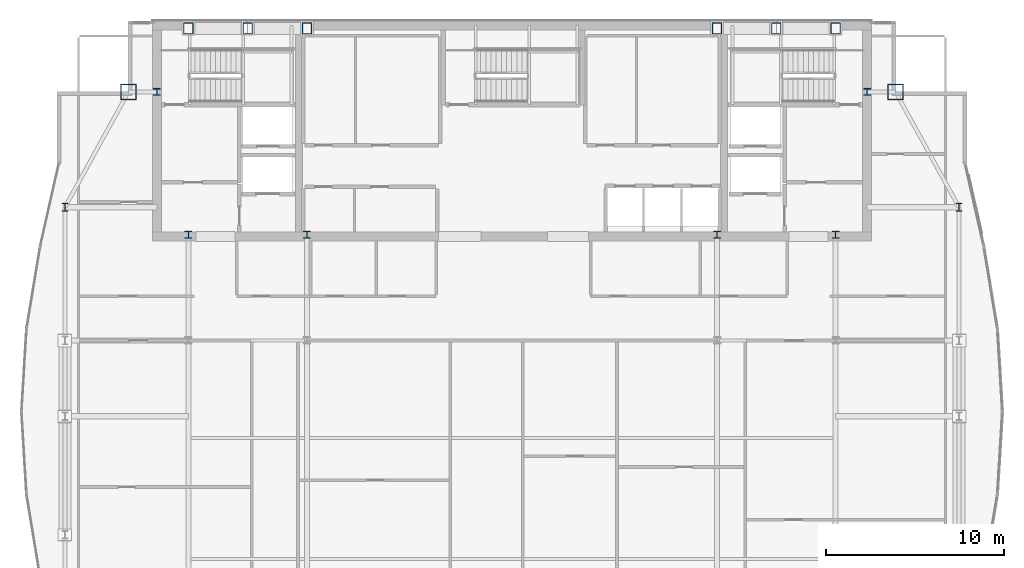
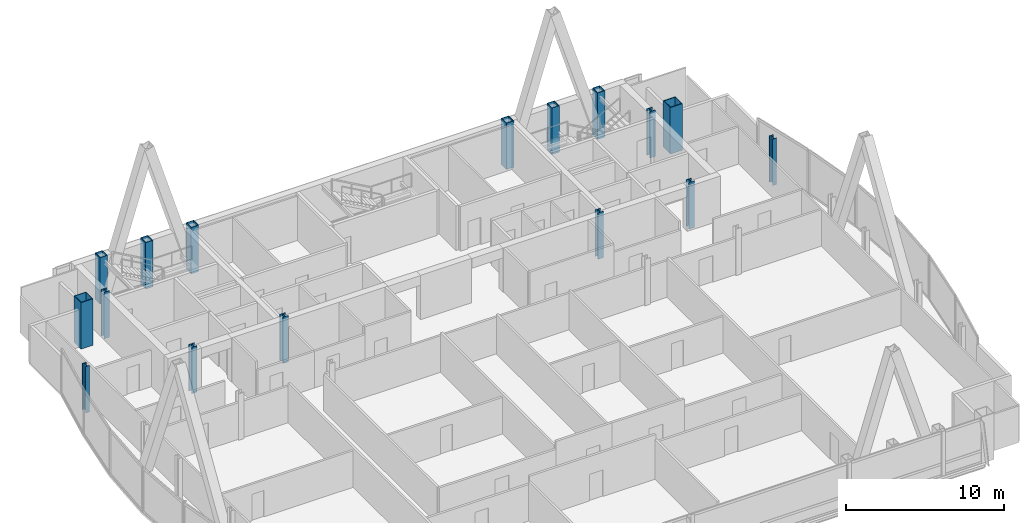
# One storey, part 3 of 31: 16 columns.
"""IFC4 building model written with IfcOpenShell, lengths in metres."""

import ifcopenshell
import ifcopenshell.guid

model = None  # the IFC model being written
_history = None  # IfcOwnerHistory: only IFC2X3 demands one
_inside = {}  # id of a spatial element -> (the spatial element, [elements in it])
_under = {}  # id of a project, library or spatial element -> (it, [spatial elements below it])
_declared = {}  # id of a project -> (the project, [libraries it declares])
_typed = {}  # id of a type object -> (the type object, [elements of that type])
_made_of = {}  # id of a material, layer set ... -> (it, [elements and type objects made of it])


def new_model(schema):
    """Start an empty IFC model of exactly this schema.

    Asked for "IFC4X3", IfcOpenShell would pick the latest addendum, in which some entities
    have other attributes; the version numbers below select the first issue.
    IFC2X3 requires an IfcOwnerHistory on every rooted entity: one is made here for all.
    """
    global model, _history
    if schema == "IFC4X3":
        model = ifcopenshell.file(schema_version=(4, 3, 0, 0))
    else:
        model = ifcopenshell.file(schema=schema)
    _inside.clear()
    _under.clear()
    _declared.clear()
    _typed.clear()
    _made_of.clear()
    _history = None
    if model.schema == "IFC2X3":
        org = make("IfcOrganization", Name="unknown")
        user = make(
            "IfcPersonAndOrganization",
            ThePerson=make("IfcPerson", FamilyName="unknown"),
            TheOrganization=org,
        )
        app = make(
            "IfcApplication",
            ApplicationDeveloper=org,
            Version="unknown",
            ApplicationFullName="unknown",
            ApplicationIdentifier="unknown",
        )
        _history = make(
            "IfcOwnerHistory",
            OwningUser=user,
            OwningApplication=app,
            ChangeAction="ADDED",
            CreationDate=0,
        )
    return model


def make(cls, **values):
    """One entity of the class cls with the attributes given. An attribute that is None is left unset."""
    return model.create_entity(
        cls, **{name: value for name, value in values.items() if value is not None}
    )


def rooted(cls, **values):
    """An entity with a GlobalId (a new one), such as an element, a storey or a relation."""
    return make(cls, GlobalId=ifcopenshell.guid.new(), OwnerHistory=_history, **values)


def si_unit(unit_type, name, prefix=None):
    """IfcSIUnit, for example si_unit("LENGTHUNIT", "METRE", prefix="MILLI")."""
    return make("IfcSIUnit", UnitType=unit_type, Prefix=prefix, Name=name)


def assignment(units):
    """IfcUnitAssignment: the units of a project."""
    return None if units is None else make("IfcUnitAssignment", Units=units)


def point(xyz):
    """IfcCartesianPoint."""
    return None if xyz is None else make("IfcCartesianPoint", Coordinates=xyz)


def direction(xyz):
    """IfcDirection."""
    return None if xyz is None else make("IfcDirection", DirectionRatios=xyz)


def frame(location, z_axis=None, x_axis=None):
    """IfcAxis2Placement3D, a coordinate frame: its origin and axes. An axis left out is left unset."""
    return make(
        "IfcAxis2Placement3D",
        Location=point(location),
        Axis=direction(z_axis),
        RefDirection=direction(x_axis),
    )


def frame_2d(location, x_axis=None):
    """IfcAxis2Placement2D, a coordinate frame in the plane: its origin and x axis."""
    return make(
        "IfcAxis2Placement2D", Location=point(location), RefDirection=direction(x_axis)
    )


def origin():
    """The frame at (0, 0, 0) with its axes left unset."""
    return frame((0.0, 0.0, 0.0))


def origin_2d():
    """The frame at (0, 0) in the plane with its x axis left unset."""
    return frame_2d((0.0, 0.0))


def place(relative_to, where):
    """IfcLocalPlacement: puts the frame where relative to a parent placement (None: the world)."""
    return make(
        "IfcLocalPlacement", PlacementRelTo=relative_to, RelativePlacement=where
    )


def context(
    kind, dimensions, precision=None, world=None, true_north=None, identifier=None
):
    """IfcGeometricRepresentationContext, for example the 3D "Model" context."""
    return make(
        "IfcGeometricRepresentationContext",
        ContextIdentifier=identifier,
        ContextType=kind,
        CoordinateSpaceDimension=dimensions,
        Precision=precision,
        WorldCoordinateSystem=world,
        TrueNorth=true_north,
    )


def subcontext(parent, identifier, kind, view, scale=None):
    """IfcGeometricRepresentationSubContext, for example "Body" below "Model"."""
    return make(
        "IfcGeometricRepresentationSubContext",
        ContextIdentifier=identifier,
        ContextType=kind,
        ParentContext=parent,
        TargetScale=scale,
        TargetView=view,
    )


def project(units=None, contexts=None):
    """IfcProject with its units and contexts."""
    return rooted(
        "IfcProject",
        Name="project",
        RepresentationContexts=contexts,
        UnitsInContext=assignment(units),
    )


def spatial(cls, under=None, at=None, **own):
    """A site, building, storey or space (cls), placed at a placement, below another one or the project."""
    s = rooted(cls, ObjectPlacement=at, **own)
    if under is not None:
        _under.setdefault(under.id(), (under, []))[1].append(s)
    return s


def profile(cls, at=None, kind="AREA", **sizes):
    """A parametric profile (cls). Its sizes go by their IFC names, for example OverallWidth=200.0."""
    return make(cls, ProfileType=kind, Position=at, **sizes)


def hollow_rectangle(**sizes):
    """IfcRectangleHollowProfileDef."""
    return profile("IfcRectangleHollowProfileDef", **sizes)


def i_section(**sizes):
    """IfcIShapeProfileDef."""
    return profile("IfcIShapeProfileDef", **sizes)


def extrude(swept, where, along, depth):
    """IfcExtrudedAreaSolid: the profile swept, set in the frame where, extruded along a direction by depth."""
    return make(
        "IfcExtrudedAreaSolid",
        SweptArea=swept,
        Position=where,
        ExtrudedDirection=direction(along),
        Depth=depth,
    )


def shape(context_of_items, identifier, shape_type, items):
    """IfcShapeRepresentation: the items that make up one representation, for example the "Body"."""
    return make(
        "IfcShapeRepresentation",
        ContextOfItems=context_of_items,
        RepresentationIdentifier=identifier,
        RepresentationType=shape_type,
        Items=items,
    )


def material(Name=None, Category=None):
    """IfcMaterial."""
    return make("IfcMaterial", Name=Name, Category=Category)


def material_profile(
    of_material, cross_section, Name=None, Category=None, Priority=None
):
    """IfcMaterialProfile: a cross section and its material."""
    return make(
        "IfcMaterialProfile",
        Name=Name,
        Material=of_material,
        Profile=cross_section,
        Priority=Priority,
        Category=Category,
    )


def profile_set(profiles, Name=None, composite=None):
    """IfcMaterialProfileSet."""
    return make(
        "IfcMaterialProfileSet",
        Name=Name,
        MaterialProfiles=profiles,
        CompositeProfile=composite,
    )


def made_of(thing, what):
    """Note that an element or type object is made of a material, layer set ...; save() writes the relation."""
    if what is not None:
        _made_of.setdefault(what.id(), (what, []))[1].append(thing)
    return thing


def type_object(cls, material=None, **own):
    """A type object (cls), such as IfcWallType, which elements share."""
    return made_of(rooted(cls, **own), material)


def element(
    cls,
    number,
    at=None,
    inside=None,
    cuts=None,
    type_object=None,
    material=None,
    context=None,
    identifier="Body",
    shape_type=None,
    held_by="IfcProductDefinitionShape",
    body=None,
    shapes=None,
    **own,
):
    """One element of the class cls, such as IfcWall. Its Tag is "e" and its number.

    at: its placement. inside: the storey or other place that contains it. cuts: it is an
    opening in that element (IfcRelVoidsElement). A single representation is given by context,
    identifier, shape_type and body (its items); several are given by shapes. held_by: the class
    of the entity that holds the representations. save() writes the other relations.
    """
    e = rooted(cls, Tag="e%d" % number, ObjectPlacement=at, **own)
    if body is not None:
        shapes = [shape(context, identifier, shape_type, body)]
    if shapes is not None:
        e.Representation = make(held_by, Representations=shapes)
    if inside is not None:
        _inside.setdefault(inside.id(), (inside, []))[1].append(e)
    if cuts is not None:
        rooted(
            "IfcRelVoidsElement", RelatingBuildingElement=cuts, RelatedOpeningElement=e
        )
    if type_object is not None:
        _typed.setdefault(type_object.id(), (type_object, []))[1].append(e)
    return made_of(e, material)


def aggregate(whole, parts):
    """IfcRelAggregates: a whole, such as a stair, and the parts it consists of."""
    return rooted("IfcRelAggregates", RelatingObject=whole, RelatedObjects=parts)


def save(model, path):
    """Write the relations noted so far, then the file.

    IfcRelAggregates (storeys below a building ...), IfcRelContainedInSpatialStructure (elements
    in a storey), IfcRelDefinesByType, IfcRelAssociatesMaterial and IfcRelDeclares: one each for
    every whole, place, type object, material and project.
    """
    for whole, parts in _under.values():
        aggregate(whole, parts)
    for where, things in _inside.values():
        rooted(
            "IfcRelContainedInSpatialStructure",
            RelatedElements=things,
            RelatingStructure=where,
        )
    for kind, things in _typed.values():
        rooted("IfcRelDefinesByType", RelatedObjects=things, RelatingType=kind)
    for what, things in _made_of.values():
        rooted("IfcRelAssociatesMaterial", RelatedObjects=things, RelatingMaterial=what)
    for by, libraries in _declared.values():
        rooted("IfcRelDeclares", RelatingContext=by, RelatedDefinitions=libraries)
    model.write(path)


model = new_model("IFC4")

# Units and contexts
model_context = context("Model", 3, precision=1e-05, world=origin(), true_north=direction((0.0, 1.0)))
body_context = subcontext(model_context, "Body", "Model", "MODEL_VIEW")
ifc_project = project(units=[si_unit("LENGTHUNIT", "METRE"), si_unit("AREAUNIT", "SQUARE_METRE"), si_unit("VOLUMEUNIT", "CUBIC_METRE"), si_unit("PLANEANGLEUNIT", "RADIAN"), si_unit("MASSUNIT", "GRAM", prefix="KILO")], contexts=[model_context])

# Site, building, storey
site_placement = place(None, origin())
site = spatial("IfcSite", under=ifc_project, at=site_placement, CompositionType="ELEMENT")
building_placement = place(site_placement, origin())
building = spatial("IfcBuilding", under=site, at=building_placement, Name="Khoronbel Lancet Exchange", CompositionType="ELEMENT")
storey_placement = place(building_placement, frame((0.0, 0.0, 325.39990234375)))
storey = spatial("IfcBuildingStorey", under=building, at=storey_placement, Name="L84", CompositionType="ELEMENT", Elevation=325.39990234375)

# Columns
ifc_material_1 = material(Name="Steel S460", Category="steel")
ifc_material_profile_1 = material_profile(ifc_material_1, hollow_rectangle(XDim=0.550048828125, YDim=0.64990234375, WallThickness=0.0400390625, at=origin_2d()), Name="BOX 650x550x40")
ifc_profile_set_1 = profile_set([ifc_material_profile_1], Name="Steel S460")
column_type_1 = type_object("IfcColumnType", Name="COL-EC4", PredefinedType="COLUMN", material=ifc_profile_set_1)
for number, where, z_axis, x_axis, name in (
    (1, (18.22509765625, 53.280029296875, 0.0), (0.0, 0.0, 1.0), (1.0, 0.0, 0.0), "Structural column NC-W1 L84"),
    (2, (21.5625, 53.280029296875, 0.0), (0.0, 0.0, 1.0), (1.0, 0.0, 0.0), "Structural column NC-WM L84"),
    (3, (24.89990234375, 53.280029296875, 0.0), (0.0, 0.0, 1.0), (1.0, 0.0, 0.0), "Structural column NC-W2 L84"),
    (4, (48.0, 53.280029296875, 0.0), (0.0, 0.0, 1.0), (1.0, 0.0, 0.0), "Structural column NC-E1 L84"),
    (5, (51.33740234375, 53.280029296875, 0.0), (0.0, 0.0, 1.0), (1.0, 0.0, 0.0), "Structural column NC-EM L84"),
    (6, (54.675048828125, 53.280029296875, 0.0), (0.0, 0.0, 1.0), (1.0, 0.0, 0.0), "Structural column NC-E2 L84"),
):
    element("IfcColumn", number, at=place(storey_placement, frame(where, z_axis=z_axis, x_axis=x_axis)), inside=storey, type_object=column_type_1, Name=name, PredefinedType="COLUMN", context=body_context, shape_type="SweptSolid", body=[
        extrude(hollow_rectangle(XDim=0.550048828125, YDim=0.64990234375, WallThickness=0.0400390625, at=origin_2d()), origin(), (0.0, 0.0, 1.0), 3.60009765625),
    ])
ifc_material_2 = material(Name="Steel S355", Category="steel")
ifc_material_profile_2 = material_profile(ifc_material_2, i_section(OverallWidth=0.39892578125, OverallDepth=0.39306640625, WebThickness=0.022705078125, FlangeThickness=0.03662109375, at=origin_2d()), Name="HD 400x287")
ifc_profile_set_2 = profile_set([ifc_material_profile_2], Name="Steel S355")
column_type_2 = type_object("IfcColumnType", Name="COL-IC4", PredefinedType="COLUMN", material=ifc_profile_set_2)
for number, where, z_axis, x_axis, name in (
    (7, (16.449951171875, 49.699951171875, 0.0), (0.0, 0.0, 1.0), (1.0, 0.0, 0.0), "Core-flank plumb transfer column CFW L84"),
    (8, (56.449951171875, 49.699951171875, 0.0), (0.0, 0.0, 1.0), (1.0, 0.0, 0.0), "Core-flank plumb transfer column CFE L84"),
    (9, (18.22509765625, 41.64990234375, 0.0), (0.0, 0.0, 1.0), (1.0, 0.0, 0.0), "Core-embedded steel column CTC1 L84"),
    (10, (24.89990234375, 41.64990234375, 0.0), (0.0, 0.0, 1.0), (1.0, 0.0, 0.0), "Core-embedded steel column CTC2 L84"),
    (11, (48.0, 41.64990234375, 0.0), (0.0, 0.0, 1.0), (1.0, 0.0, 0.0), "Core-embedded steel column CTC3 L84"),
    (12, (54.675048828125, 41.64990234375, 0.0), (0.0, 0.0, 1.0), (1.0, 0.0, 0.0), "Core-embedded steel column CTC4 L84"),
):
    element("IfcColumn", number, at=place(storey_placement, frame(where, z_axis=z_axis, x_axis=x_axis)), inside=storey, type_object=column_type_2, Name=name, PredefinedType="COLUMN", context=body_context, shape_type="SweptSolid", body=[
        extrude(i_section(OverallWidth=0.39892578125, OverallDepth=0.39306640625, WebThickness=0.022705078125, FlangeThickness=0.03662109375, at=origin_2d()), origin(), (0.0, 0.0, 1.0), 3.60009765625),
    ])
ifc_material_profile_3 = material_profile(ifc_material_2, i_section(OverallWidth=0.300048828125, OverallDepth=0.449951171875, WebThickness=0.013916015625, FlangeThickness=0.02587890625, at=origin_2d()), Name="HEB 450")
ifc_profile_set_3 = profile_set([ifc_material_profile_3], Name="Steel S355")
column_type_3 = type_object("IfcColumnType", Name="COL-LC2", PredefinedType="COLUMN", material=ifc_profile_set_3)
for number, where, z_axis, x_axis, name in (
    (13, (11.27001953125, 43.199951171875, 0.0), (0.0, 0.0, 1.0), (1.0, 0.0, 0.0), "Structural column WC-4 L84"),
    (14, (61.6298828125, 43.199951171875, 0.0), (0.0, 0.0, 1.0), (1.0, 0.0, 0.0), "Structural column EC-4 L84"),
):
    element("IfcColumn", number, at=place(storey_placement, frame(where, z_axis=z_axis, x_axis=x_axis)), inside=storey, type_object=column_type_3, Name=name, PredefinedType="COLUMN", context=body_context, shape_type="SweptSolid", body=[
        extrude(i_section(OverallWidth=0.300048828125, OverallDepth=0.449951171875, WebThickness=0.013916015625, FlangeThickness=0.02587890625, at=origin_2d()), origin(), (0.0, 0.0, 1.0), 3.60009765625),
    ])
ifc_material_profile_4 = material_profile(ifc_material_1, hollow_rectangle(XDim=0.89990234375, YDim=0.89990234375, WallThickness=0.050048828125, at=origin_2d()), Name="BOX 900x900x50")
ifc_profile_set_4 = profile_set([ifc_material_profile_4], Name="Steel S460")
column_type_4 = type_object("IfcColumnType", Name="COL-MC7", PredefinedType="COLUMN", material=ifc_profile_set_4)
for number, where, z_axis, x_axis, name in (
    (15, (58.050048828125, 49.699951171875, 0.0), (0.0, 0.0, 1.0), (1.0, 0.0, 0.0), "Structural column MC-NE L84"),
    (16, (14.85009765625, 49.699951171875, 0.0), (0.0, 0.0, 1.0), (1.0, 0.0, 0.0), "Structural column MC-NW L84"),
):
    element("IfcColumn", number, at=place(storey_placement, frame(where, z_axis=z_axis, x_axis=x_axis)), inside=storey, type_object=column_type_4, Name=name, PredefinedType="COLUMN", context=body_context, shape_type="SweptSolid", body=[
        extrude(hollow_rectangle(XDim=0.89990234375, YDim=0.89990234375, WallThickness=0.050048828125, at=origin_2d()), origin(), (0.0, 0.0, 1.0), 3.60009765625),
    ])

save(model, "model.ifc")
